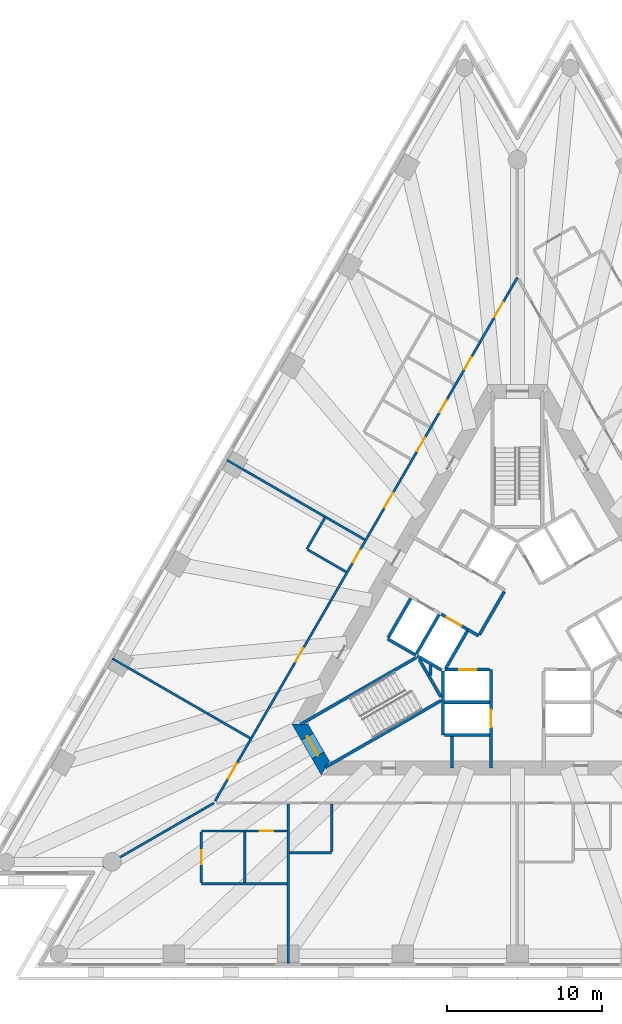
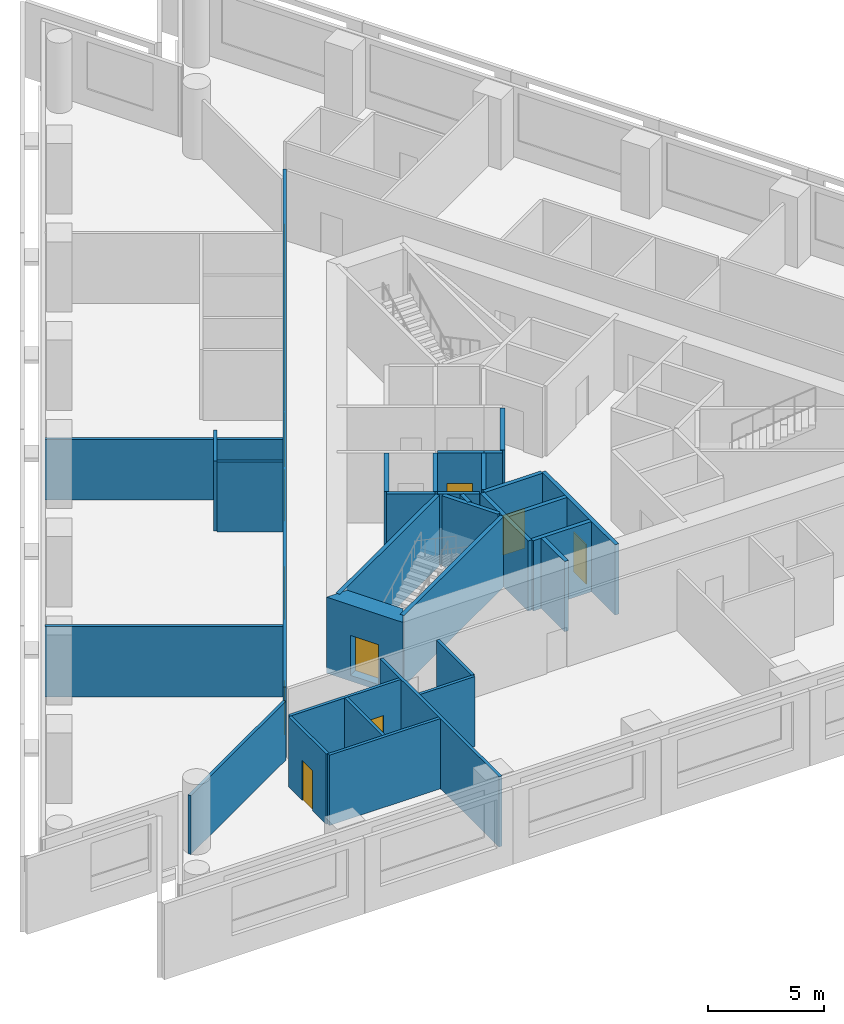
# One storey, part 3 of 11: 32 walls, 14 doors, 14 openings.
"""IFC4 building model written with IfcOpenShell, lengths in metres."""

from ifc_helpers import new_model, si_unit, direction, frame, frame_2d, origin, place, context, subcontext, project, spatial, polyline, rectangle, outline, extrude, material, layer, layer_set, type_object, element, fill, save


model = new_model("IFC4")

# Units and contexts
model_context = context("Model", 3, precision=1e-05, world=origin(), true_north=direction((0.0, 1.0)))
body_context = subcontext(model_context, "Body", "Model", "MODEL_VIEW")
ifc_project = project(units=[si_unit("LENGTHUNIT", "METRE"), si_unit("AREAUNIT", "SQUARE_METRE"), si_unit("VOLUMEUNIT", "CUBIC_METRE"), si_unit("PLANEANGLEUNIT", "RADIAN"), si_unit("MASSUNIT", "GRAM", prefix="KILO")], contexts=[model_context])

# Site, building, storey
site_placement = place(None, origin())
site = spatial("IfcSite", under=ifc_project, at=site_placement, CompositionType="ELEMENT")
building_placement = place(site_placement, origin())
building = spatial("IfcBuilding", under=site, at=building_placement, Name="Triada Interchange Tower", CompositionType="ELEMENT")
storey_placement = place(building_placement, frame((0.0, 0.0, 59.300048828125)))
storey = spatial("IfcBuildingStorey", under=building, at=storey_placement, Name="L12", CompositionType="ELEMENT", Elevation=59.300048828125)

# Walls
ifc_material_1 = material(Name="Concrete C30/37", Category="concrete")
ifc_layer_1 = layer(ifc_material_1, 0.199951171875)
ifc_layer_set_1 = layer_set([ifc_layer_1], Name="CORE WALL 200 EI 120")
wall_type_1 = type_object("IfcWallType", Name="CORE WALL 200 EI 120", PredefinedType="SOLIDWALL", material=ifc_layer_set_1)
wall_1_placement = place(storey_placement, frame((-8.3759765625, -0.70703125, 0.0), z_axis=(0.0, 0.0, 1.0), x_axis=(0.866067520717, -0.499927044236, 0.0)))
element("IfcWall", 1, at=wall_1_placement, inside=storey, type_object=wall_type_1, Name="Wall L12 47", PredefinedType="SOLIDWALL", context=body_context, shape_type="SweptSolid", body=[
    extrude(rectangle(XDim=2.100341796875, YDim=0.199951171875, at=frame_2d((1.05029296875, 0.0))), origin(), (0.0, 0.0, 1.0), 3.699951171875),
])
wall_2_placement = place(storey_placement, frame((-8.325927734375, -0.6201171875, 0.0), z_axis=(0.0, 0.0, 1.0), x_axis=(0.500023687443, 0.866011727401, 0.0)))
element("IfcWall", 2, at=wall_2_placement, inside=storey, type_object=wall_type_1, Name="Wall L12 48", PredefinedType="SOLIDWALL", context=body_context, shape_type="SweptSolid", body=[
    extrude(rectangle(XDim=2.899658203125, YDim=0.199951171875, at=frame_2d((1.44970703125, 0.0))), origin(), (0.0, 0.0, 1.0), 3.699951171875),
])
wall_3_placement = place(storey_placement, frame((-4.699951171875, -4.800048828125, 0.0), z_axis=(0.0, 0.0, 1.0), x_axis=(1.0, 0.0, 0.0)))
element("IfcWall", 3, at=wall_3_placement, inside=storey, type_object=wall_type_1, Name="Wall L12 49", PredefinedType="SOLIDWALL", context=body_context, shape_type="SweptSolid", body=[
    extrude(rectangle(XDim=2.89990234375, YDim=0.199951171875, at=frame_2d((1.449951171875, 0.0))), origin(), (0.0, 0.0, 1.0), 3.699951171875),
])
wall_4_placement = place(storey_placement, frame((-4.800048828125, -6.89990234375, 0.0), z_axis=(0.0, 0.0, 1.0), x_axis=(0.0, 1.0, 0.0)))
element("IfcWall", 4, at=wall_4_placement, inside=storey, type_object=wall_type_1, Name="Wall L12 51", PredefinedType="SOLIDWALL", context=body_context, shape_type="SweptSolid", body=[
    extrude(rectangle(XDim=4.130859375, YDim=0.199951171875, at=frame_2d((2.0654296875, 0.0))), origin(), (0.0, 0.0, 1.0), 3.699951171875),
])
wall_5_placement = place(storey_placement, frame((-4.699951171875, -6.89990234375, 0.0), z_axis=(0.0, 0.0, 1.0), x_axis=(1.0, 0.0, 0.0)))
element("IfcWall", 5, at=wall_5_placement, inside=storey, type_object=wall_type_1, Name="Wall L12 52", PredefinedType="SOLIDWALL", context=body_context, shape_type="SweptSolid", body=[
    extrude(rectangle(XDim=2.89990234375, YDim=0.199951171875, at=frame_2d((1.449951171875, 0.0))), origin(), (0.0, 0.0, 1.0), 3.699951171875),
])

# Wall, opening, door
wall_6_placement = place(storey_placement, frame((-1.699951171875, -9.030029296875, 0.0), z_axis=(0.0, 0.0, 1.0), x_axis=(0.0, 1.0, 0.0)))
wall_6 = element("IfcWall", 6, at=wall_6_placement, inside=storey, type_object=wall_type_1, Name="Wall L12 54", PredefinedType="SOLIDWALL", context=body_context, shape_type="SweptSolid", body=[
    extrude(rectangle(XDim=6.3271484375, YDim=0.199951171875, at=frame_2d((3.16357421875, 0.0))), origin(), (0.0, 0.0, 1.0), 3.699951171875),
])
opening_1_placement = place(wall_6_placement, frame((2.6298828125, 0.0, 0.0)))
opening_1 = element("IfcOpeningElement", 7, at=opening_1_placement, cuts=wall_6, Name="Opening LD-LR4", PredefinedType="OPENING", context=body_context, shape_type="SweptSolid", body=[
    extrude(rectangle(XDim=1.10009765625, YDim=2.10009765625, at=frame_2d((0.550048828125, 1.050048828125))), frame((0.0, 0.10986328125, 0.0), z_axis=(0.0, -1.0, 0.0), x_axis=(1.0, 0.0, 0.0)), (0.0, 0.0, 1.0), 0.219970703125),
])
ifc_material_2 = material(Name="Steel S235 door leaf", Category="steel")
door_type_1 = type_object("IfcDoorType", Name="LIFT LANDING DOOR 1100 EI 120", OperationType="SLIDING_TO_LEFT", PredefinedType="DOOR", material=ifc_material_2)
door_1_placement = place(opening_1_placement, origin())
door_1 = element("IfcDoor", 8, at=door_1_placement, inside=storey, type_object=door_type_1, Name="LR4 landing door L12", OperationType="SLIDING_TO_LEFT", OverallHeight=2.10009765625, OverallWidth=1.10009765625, PredefinedType="DOOR", context=body_context, shape_type="SweptSolid", body=[
    extrude(rectangle(XDim=1.10009765625, YDim=2.10009765625, at=frame_2d((0.550048828125, 1.050048828125))), frame((0.0, 0.02490234375, 0.0), z_axis=(0.0, -1.0, 0.0), x_axis=(1.0, 0.0, 0.0)), (0.0, 0.0, 1.0), 0.050048828125),
])
fill(opening_1, door_1)

wall_7_placement = place(storey_placement, frame((-4.676025390625, -2.699951171875, 0.0), z_axis=(0.0, 0.0, 1.0), x_axis=(1.0, 0.0, 0.0)))
wall_7 = element("IfcWall", 9, at=wall_7_placement, inside=storey, type_object=wall_type_1, Name="Wall L12 55", PredefinedType="SOLIDWALL", context=body_context, shape_type="SweptSolid", body=[
    extrude(rectangle(XDim=2.873046875, YDim=0.199951171875, at=frame_2d((1.4365234375, 0.0))), origin(), (0.0, 0.0, 1.0), 3.699951171875),
])
opening_2_placement = place(wall_7_placement, frame((0.93701171875, 0.0, 0.0)))
opening_2 = element("IfcOpeningElement", 10, at=opening_2_placement, cuts=wall_7, Name="Opening LD-LR3", PredefinedType="OPENING", context=body_context, shape_type="SweptSolid", body=[
    extrude(rectangle(XDim=1.10009765625, YDim=2.10009765625, at=frame_2d((0.550048828125, 1.050048828125))), frame((0.0, 0.10986328125, 0.0), z_axis=(0.0, -1.0, 0.0), x_axis=(1.0, 0.0, 0.0)), (0.0, 0.0, 1.0), 0.219970703125),
])
door_2_placement = place(opening_2_placement, origin())
door_2 = element("IfcDoor", 11, at=door_2_placement, inside=storey, type_object=door_type_1, Name="LR3 landing door L12", OperationType="SLIDING_TO_LEFT", OverallHeight=2.10009765625, OverallWidth=1.10009765625, PredefinedType="DOOR", context=body_context, shape_type="SweptSolid", body=[
    extrude(rectangle(XDim=1.10009765625, YDim=2.10009765625, at=frame_2d((0.550048828125, 1.050048828125))), frame((0.0, 0.02490234375, 0.0), z_axis=(0.0, -1.0, 0.0), x_axis=(1.0, 0.0, 0.0)), (0.0, 0.0, 1.0), 0.050048828125),
])
fill(opening_2, door_2)

# Walls
ifc_layer_2 = layer(ifc_material_1, 0.199951171875)
ifc_layer_set_2 = layer_set([ifc_layer_2], Name="CORE WALL 200 EI 180")
wall_type_2 = type_object("IfcWallType", Name="CORE WALL 200 EI 180", PredefinedType="SOLIDWALL", material=ifc_layer_set_2)
wall_8_placement = place(storey_placement, frame((-3.18798828125, -0.1220703125, 0.0), z_axis=(0.0, 0.0, 1.0), x_axis=(0.865705793592, -0.50055317294, 0.0)))
element("IfcWall", 12, at=wall_8_placement, inside=storey, type_object=wall_type_2, Name="Wall L12 70", PredefinedType="SOLIDWALL", context=body_context, shape_type="SweptSolid", body=[
    extrude(rectangle(XDim=0.796875, YDim=0.199951171875, at=frame_2d((0.3984375, 0.0))), origin(), (0.0, 0.0, 1.0), 3.699951171875),
])
wall_9_placement = place(storey_placement, frame((-2.444091796875, -0.43310546875, 0.0), z_axis=(0.0, 0.0, 1.0), x_axis=(0.500035624827, 0.866004834804, 0.0)))
element("IfcWall", 13, at=wall_9_placement, inside=storey, type_object=wall_type_2, Name="Wall L12 75", PredefinedType="SOLIDWALL", context=body_context, shape_type="SweptSolid", body=[
    extrude(rectangle(XDim=3.194091796875, YDim=0.199951171875, at=frame_2d((1.59716796875, 0.0))), origin(), (0.0, 0.0, 1.0), 3.699951171875),
])
wall_10_placement = place(storey_placement, frame((-6.507080078125, -1.669921875, 0.0), z_axis=(0.0, 0.0, 1.0), x_axis=(0.50012328804, 0.865954211699, 0.0)))
element("IfcWall", 14, at=wall_10_placement, inside=storey, type_object=wall_type_2, Name="Shaft wall FF1 L12 76", PredefinedType="SOLIDWALL", context=body_context, shape_type="SweptSolid", body=[
    extrude(rectangle(XDim=2.899658203125, YDim=0.199951171875, at=frame_2d((1.44970703125, 0.0))), origin(), (0.0, 0.0, 1.0), 3.699951171875),
])
wall_11_placement = place(storey_placement, frame((-6.469970703125, -1.806884765625, 0.0), z_axis=(0.0, 0.0, 1.0), x_axis=(0.865883195159, -0.500246231712, 0.0)))
element("IfcWall", 15, at=wall_11_placement, inside=storey, type_object=wall_type_2, Name="Shaft wall FF1 L12 77", PredefinedType="SOLIDWALL", context=body_context, shape_type="SweptSolid", body=[
    extrude(rectangle(XDim=1.8154296875, YDim=0.199951171875, at=frame_2d((0.90771484375, 0.0))), origin(), (0.0, 0.0, 1.0), 3.699951171875),
])

# Wall, opening, door
wall_12_placement = place(storey_placement, frame((-4.922119140625, 0.87890625, 0.0), z_axis=(0.0, 0.0, 1.0), x_axis=(0.866073918653, -0.499915960366, 0.0)))
wall_12 = element("IfcWall", 16, at=wall_12_placement, inside=storey, type_object=wall_type_2, Name="Shaft wall FF1 L12 78", PredefinedType="SOLIDWALL", context=body_context, shape_type="SweptSolid", body=[
    extrude(rectangle(XDim=2.002197265625, YDim=0.199951171875, at=frame_2d((1.0009765625, 0.0))), origin(), (0.0, 0.0, 1.0), 3.699951171875),
])
opening_3_placement = place(wall_12_placement, frame((0.402099609375, 0.0, 0.0)))
opening_3 = element("IfcOpeningElement", 17, at=opening_3_placement, cuts=wall_12, Name="Opening LD-FF1", PredefinedType="OPENING", context=body_context, shape_type="SweptSolid", body=[
    extrude(rectangle(XDim=1.10009765625, YDim=2.10009765625, at=frame_2d((0.550048828125, 1.050048828125))), frame((0.0, 0.10986328125, 0.0), z_axis=(0.0, -1.0, 0.0), x_axis=(1.0, 0.0, 0.0)), (0.0, 0.0, 1.0), 0.219970703125),
])
door_3_placement = place(opening_3_placement, origin())
door_3 = element("IfcDoor", 18, at=door_3_placement, inside=storey, type_object=door_type_1, Name="FF1 landing door L12", OperationType="SLIDING_TO_LEFT", OverallHeight=2.10009765625, OverallWidth=1.10009765625, PredefinedType="DOOR", context=body_context, shape_type="SweptSolid", body=[
    extrude(rectangle(XDim=1.10009765625, YDim=2.10009765625, at=frame_2d((0.550048828125, 1.050048828125))), frame((0.0, 0.02490234375, 0.0), z_axis=(0.0, -1.0, 0.0), x_axis=(1.0, 0.0, 0.0)), (0.0, 0.0, 1.0), 0.050048828125),
])
fill(opening_3, door_3)

# Walls
wall_13_placement = place(storey_placement, frame((-4.618896484375, -2.60009765625, 0.0), z_axis=(0.0, 0.0, 1.0), x_axis=(0.50009492287, 0.865970593103, 0.0)))
element("IfcWall", 19, at=wall_13_placement, inside=storey, type_object=wall_type_2, Name="Shaft wall FF1 L12 79", PredefinedType="SOLIDWALL", context=body_context, shape_type="SweptSolid", body=[
    extrude(rectangle(XDim=2.76123046875, YDim=0.199951171875, at=frame_2d((1.380615234375, 0.0))), origin(), (0.0, 0.0, 1.0), 3.699951171875),
])
ifc_layer_3 = layer(ifc_material_1, 0.199951171875)
ifc_layer_set_3 = layer_set([ifc_layer_3], Name="CORE WALL 200 EI 90")
wall_type_3 = type_object("IfcWallType", Name="CORE WALL 200 EI 90", PredefinedType="SOLIDWALL", material=ifc_layer_set_3)
wall_14_placement = place(storey_placement, frame((-5.612060546875, -3.080078125, 0.0), z_axis=(0.0, 0.0, 1.0), x_axis=(0.0, 1.0, 0.0)))
element("IfcWall", 20, at=wall_14_placement, inside=storey, type_object=wall_type_3, Name="Wall L12 84", PredefinedType="SOLIDWALL", context=body_context, shape_type="SweptSolid", body=[
    extrude(rectangle(XDim=0.662109375, YDim=0.199951171875, at=frame_2d((0.3310546875, 0.0))), origin(), (0.0, 0.0, 1.0), 3.699951171875),
])
wall_15_placement = place(storey_placement, frame((-4.208984375, -9.030029296875, 0.0), z_axis=(0.0, 0.0, 1.0), x_axis=(0.0, 1.0, 0.0)))
element("IfcWall", 21, at=wall_15_placement, inside=storey, type_object=wall_type_3, Name="Wall L12 85", PredefinedType="SOLIDWALL", context=body_context, shape_type="SweptSolid", body=[
    extrude(rectangle(XDim=2.030029296875, YDim=0.199951171875, at=frame_2d((1.01513671875, 0.0))), origin(), (0.0, 0.0, 1.0), 3.699951171875),
])
ifc_layer_4 = layer(ifc_material_1, 0.199951171875)
ifc_layer_set_4 = layer_set([ifc_layer_4], Name="CORE WALL 200 REI 240")
wall_type_4 = type_object("IfcWallType", Name="CORE WALL 200 REI 240", PredefinedType="SOLIDWALL", material=ifc_layer_set_4)
wall_16_placement = place(storey_placement, frame((-13.989990234375, -6.22900390625, 0.0), z_axis=(0.0, 0.0, 1.0), x_axis=(0.866060059011, 0.499939970583, 0.0)))
element("IfcWall", 22, at=wall_16_placement, inside=storey, type_object=wall_type_4, Name="Wall L12 87", PredefinedType="SOLIDWALL", context=body_context, shape_type="SweptSolid", body=[
    extrude(rectangle(XDim=8.61474609375, YDim=0.199951171875, at=frame_2d((4.307373046875, 0.0))), origin(), (0.0, 0.0, 1.0), 3.699951171875),
])
wall_17_placement = place(storey_placement, frame((-6.3291015625, -2.0380859375, 0.0), z_axis=(0.0, 0.0, 1.0), x_axis=(0.500200581029, -0.865909567298, 0.0)))
element("IfcWall", 23, at=wall_17_placement, inside=storey, type_object=wall_type_4, Name="Wall L12 88", PredefinedType="SOLIDWALL", context=body_context, shape_type="SweptSolid", body=[
    extrude(rectangle(XDim=2.799072265625, YDim=0.199951171875, at=frame_2d((1.3994140625, 0.0))), origin(), (0.0, 0.0, 1.0), 3.699951171875),
])
wall_18_placement = place(storey_placement, frame((-12.389892578125, -9.0009765625, 0.0), z_axis=(0.0, 0.0, 1.0), x_axis=(0.866010975815, 0.500024989144, 0.0)))
element("IfcWall", 24, at=wall_18_placement, inside=storey, type_object=wall_type_4, Name="Wall L12 89", PredefinedType="SOLIDWALL", context=body_context, shape_type="SweptSolid", body=[
    extrude(rectangle(XDim=8.615234375, YDim=0.199951171875, at=frame_2d((4.3076171875, 0.0))), origin(), (0.0, 0.0, 1.0), 3.699951171875),
])

# Wall, opening, door
ifc_material_3 = material(Name="Concrete C70/85", Category="concrete")
ifc_layer_5 = layer(ifc_material_3, 0.89990234375)
ifc_layer_set_5 = layer_set([ifc_layer_5], Name="Core wall A 900")
wall_type_5 = type_object("IfcWallType", Name="Core wall A 900", PredefinedType="SHEAR", material=ifc_layer_set_5)
wall_19_placement = place(storey_placement, frame((-14.030029296875, -6.199951171875, -0.300048828125), z_axis=(0.0, 0.0, 1.0), x_axis=(0.500111984565, -0.865960739811, 0.0)))
wall_19 = element("IfcWall", 25, at=wall_19_placement, inside=storey, type_object=wall_type_5, Name="Core wall WA03 L12", PredefinedType="SHEAR", context=body_context, shape_type="SweptSolid", body=[
    extrude(outline(polyline([(-0.260009765625, -0.448974609375), (1.6455078125, -0.449462890625), (3.551025390625, -0.449951171875), (3.031982421875, 0.449951171875), (1.64599609375, 0.449951171875), (0.260009765625, 0.449951171875), (-0.260009765625, -0.448974609375)])), origin(), (0.0, 0.0, 1.0), 4.0),
])
opening_4_placement = place(wall_19_placement, frame((0.946044921875, 0.0, 0.300048828125)))
opening_4 = element("IfcOpeningElement", 26, at=opening_4_placement, cuts=wall_19, Name="Opening D12-42", PredefinedType="OPENING", context=body_context, shape_type="SweptSolid", body=[
    extrude(rectangle(XDim=1.39990234375, YDim=2.10009765625, at=frame_2d((0.699951171875, 1.050048828125))), frame((0.0, 0.4599609375, 0.0), z_axis=(0.0, -1.0, 0.0), x_axis=(1.0, 0.0, 0.0)), (0.0, 0.0, 1.0), 0.919921875),
])
door_type_2 = type_object("IfcDoorType", Name="STAIR DOOR 1400 EI2 90-C5S200", OperationType="DOUBLE_DOOR_SINGLE_SWING", PredefinedType="DOOR", material=ifc_material_2)
door_4_placement = place(opening_4_placement, origin())
door_4 = element("IfcDoor", 27, at=door_4_placement, inside=storey, type_object=door_type_2, Name="Door D12-42 L12", OperationType="DOUBLE_DOOR_SINGLE_SWING", OverallHeight=2.10009765625, OverallWidth=1.39990234375, PredefinedType="DOOR", context=body_context, shape_type="SweptSolid", body=[
    extrude(rectangle(XDim=1.39990234375, YDim=2.10009765625, at=frame_2d((0.699951171875, 1.050048828125))), frame((0.0, 0.02490234375, 0.0), z_axis=(0.0, -1.0, 0.0), x_axis=(1.0, 0.0, 0.0)), (0.0, 0.0, 1.0), 0.050048828125),
])
fill(opening_4, door_4)

# Walls
ifc_material_4 = material(Name="Gypsum board partition")
ifc_layer_6 = layer(ifc_material_4, 0.14990234375)
ifc_layer_set_6 = layer_set([ifc_layer_6], Name="PARTITION 150 EI 180")
wall_type_6 = type_object("IfcWallType", Name="PARTITION 150 EI 180", PredefinedType="PARTITIONING", material=ifc_layer_set_6)
wall_20_placement = place(storey_placement, frame((-26.68701171875, -15.407958984375, 0.0), z_axis=(0.0, 0.0, 1.0), x_axis=(0.866021786635, 0.500006265035, 0.0)))
element("IfcWall", 28, at=wall_20_placement, inside=storey, type_object=wall_type_6, Name="Wall L12 1", PredefinedType="PARTITIONING", context=body_context, shape_type="SweptSolid", body=[
    extrude(rectangle(XDim=8.2158203125, YDim=0.14990234375, at=frame_2d((4.10791015625, 0.0))), origin(), (0.0, 0.0, 1.0), 3.099853515625),
])
wall_21_placement = place(storey_placement, frame((-26.1279296875, -1.985107421875, 0.0), z_axis=(0.0, 0.0, 1.0), x_axis=(0.866020337685, -0.500008774639, 0.0)))
element("IfcWall", 29, at=wall_21_placement, inside=storey, type_object=wall_type_6, Name="Wall L12 3", PredefinedType="PARTITIONING", context=body_context, shape_type="SweptSolid", body=[
    extrude(rectangle(XDim=10.259521484375, YDim=0.14990234375, at=frame_2d((5.1298828125, 0.0))), origin(), (0.0, 0.0, 1.0), 3.699951171875),
])

# Wall, openings, doors
wall_22_placement = place(storey_placement, frame((-19.4970703125, -11.169921875, 0.0), z_axis=(0.0, 0.0, 1.0), x_axis=(0.499998854553, 0.866026065108, 0.0)))
wall_22 = element("IfcWall", 30, at=wall_22_placement, inside=storey, type_object=wall_type_6, Name="Wall L12 4", PredefinedType="PARTITIONING", context=body_context, shape_type="SweptSolid", body=[
    extrude(rectangle(XDim=38.994140625, YDim=0.14990234375, at=frame_2d((19.4970703125, 0.0))), origin(), (0.0, 0.0, 1.0), 3.699951171875),
])
opening_5_placement = place(wall_22_placement, frame((36.0439453125, 0.0, 0.0)))
opening_5 = element("IfcOpeningElement", 31, at=opening_5_placement, cuts=wall_22, Name="Opening D12-32", PredefinedType="OPENING", context=body_context, shape_type="SweptSolid", body=[
    extrude(rectangle(XDim=1.10009765625, YDim=2.10009765625, at=frame_2d((0.550048828125, 1.050048828125))), frame((0.0, 0.0849609375, 0.0), z_axis=(0.0, -1.0, 0.0), x_axis=(1.0, 0.0, 0.0)), (0.0, 0.0, 1.0), 0.169921875),
])
opening_6_placement = place(wall_22_placement, frame((21.85498046875, 0.0, 0.0)))
opening_6 = element("IfcOpeningElement", 32, at=opening_6_placement, cuts=wall_22, Name="Opening D12-33", PredefinedType="OPENING", context=body_context, shape_type="SweptSolid", body=[
    extrude(rectangle(XDim=1.10009765625, YDim=2.10009765625, at=frame_2d((0.550048828125, 1.050048828125))), frame((0.0, 0.0849609375, 0.0), z_axis=(0.0, -1.0, 0.0), x_axis=(1.0, 0.0, 0.0)), (0.0, 0.0, 1.0), 0.169921875),
])
opening_7_placement = place(wall_22_placement, frame((32.155029296875, 0.0, 0.0)))
opening_7 = element("IfcOpeningElement", 33, at=opening_7_placement, cuts=wall_22, Name="Opening D12-34", PredefinedType="OPENING", context=body_context, shape_type="SweptSolid", body=[
    extrude(rectangle(XDim=0.89990234375, YDim=2.10009765625, at=frame_2d((0.449951171875, 1.050048828125))), frame((0.0, 0.0849609375, 0.0), z_axis=(0.0, -1.0, 0.0), x_axis=(1.0, 0.0, 0.0)), (0.0, 0.0, 1.0), 0.169921875),
])
opening_8_placement = place(wall_22_placement, frame((28.955078125, 0.0, 0.0)))
opening_8 = element("IfcOpeningElement", 34, at=opening_8_placement, cuts=wall_22, Name="Opening D12-35", PredefinedType="OPENING", context=body_context, shape_type="SweptSolid", body=[
    extrude(rectangle(XDim=0.89990234375, YDim=2.10009765625, at=frame_2d((0.449951171875, 1.050048828125))), frame((0.0, 0.0849609375, 0.0), z_axis=(0.0, -1.0, 0.0), x_axis=(1.0, 0.0, 0.0)), (0.0, 0.0, 1.0), 0.169921875),
])
opening_9_placement = place(wall_22_placement, frame((26.054931640625, 0.0, 0.0)))
opening_9 = element("IfcOpeningElement", 35, at=opening_9_placement, cuts=wall_22, Name="Opening D12-36", PredefinedType="OPENING", context=body_context, shape_type="SweptSolid", body=[
    extrude(rectangle(XDim=1.0, YDim=2.10009765625, at=frame_2d((0.5, 1.050048828125))), frame((0.0, 0.0849609375, 0.0), z_axis=(0.0, -1.0, 0.0), x_axis=(1.0, 0.0, 0.0)), (0.0, 0.0, 1.0), 0.169921875),
])
opening_10_placement = place(wall_22_placement, frame((10.373046875, 0.0, 0.0)))
opening_10 = element("IfcOpeningElement", 36, at=opening_10_placement, cuts=wall_22, Name="Opening D12-37", PredefinedType="OPENING", context=body_context, shape_type="SweptSolid", body=[
    extrude(rectangle(XDim=1.0, YDim=2.10009765625, at=frame_2d((0.5, 1.050048828125))), frame((0.0, 0.0849609375, 0.0), z_axis=(0.0, -1.0, 0.0), x_axis=(1.0, 0.0, 0.0)), (0.0, 0.0, 1.0), 0.169921875),
])
opening_11_placement = place(wall_22_placement, frame((17.77294921875, 0.0, 0.0)))
opening_11 = element("IfcOpeningElement", 37, at=opening_11_placement, cuts=wall_22, Name="Opening D12-38", PredefinedType="OPENING", context=body_context, shape_type="SweptSolid", body=[
    extrude(rectangle(XDim=0.89990234375, YDim=2.10009765625, at=frame_2d((0.449951171875, 1.050048828125))), frame((0.0, 0.0849609375, 0.0), z_axis=(0.0, -1.0, 0.0), x_axis=(1.0, 0.0, 0.0)), (0.0, 0.0, 1.0), 0.169921875),
])
opening_12_placement = place(wall_22_placement, frame((1.68896484375, 0.0, 0.0)))
opening_12 = element("IfcOpeningElement", 38, at=opening_12_placement, cuts=wall_22, Name="Opening D12-39", PredefinedType="OPENING", context=body_context, shape_type="SweptSolid", body=[
    extrude(rectangle(XDim=1.10009765625, YDim=2.10009765625, at=frame_2d((0.550048828125, 1.050048828125))), frame((0.0, 0.0849609375, 0.0), z_axis=(0.0, -1.0, 0.0), x_axis=(1.0, 0.0, 0.0)), (0.0, 0.0, 1.0), 0.169921875),
])
door_type_3 = type_object("IfcDoorType", Name="ROOM DOOR 1000 EI2 90-C5S200", OperationType="NOTDEFINED", PredefinedType="DOOR", material=ifc_material_2)
door_5_placement = place(opening_9_placement, origin())
door_5 = element("IfcDoor", 39, at=door_5_placement, inside=storey, type_object=door_type_3, Name="Door D12-36 L12", OperationType="SINGLE_SWING_RIGHT", OverallHeight=2.10009765625, OverallWidth=1.0, PredefinedType="DOOR", context=body_context, shape_type="SweptSolid", body=[
    extrude(rectangle(XDim=1.0, YDim=2.10009765625, at=frame_2d((0.5, 1.050048828125))), frame((0.0, 0.02490234375, 0.0), z_axis=(0.0, -1.0, 0.0), x_axis=(1.0, 0.0, 0.0)), (0.0, 0.0, 1.0), 0.050048828125),
])
fill(opening_9, door_5)
door_6_placement = place(opening_10_placement, origin())
door_6 = element("IfcDoor", 40, at=door_6_placement, inside=storey, type_object=door_type_3, Name="Door D12-37 L12", OperationType="SINGLE_SWING_LEFT", OverallHeight=2.10009765625, OverallWidth=1.0, PredefinedType="DOOR", context=body_context, shape_type="SweptSolid", body=[
    extrude(rectangle(XDim=1.0, YDim=2.10009765625, at=frame_2d((0.5, 1.050048828125))), frame((0.0, 0.02490234375, 0.0), z_axis=(0.0, -1.0, 0.0), x_axis=(1.0, 0.0, 0.0)), (0.0, 0.0, 1.0), 0.050048828125),
])
fill(opening_10, door_6)
door_type_4 = type_object("IfcDoorType", Name="ROOM DOOR 900 EI2 90-C5S200", OperationType="NOTDEFINED", PredefinedType="DOOR", material=ifc_material_2)
door_7_placement = place(opening_7_placement, origin())
door_7 = element("IfcDoor", 41, at=door_7_placement, inside=storey, type_object=door_type_4, Name="Door D12-34 L12", OperationType="SINGLE_SWING_RIGHT", OverallHeight=2.10009765625, OverallWidth=0.89990234375, PredefinedType="DOOR", context=body_context, shape_type="SweptSolid", body=[
    extrude(rectangle(XDim=0.89990234375, YDim=2.10009765625, at=frame_2d((0.449951171875, 1.050048828125))), frame((0.0, 0.02490234375, 0.0), z_axis=(0.0, -1.0, 0.0), x_axis=(1.0, 0.0, 0.0)), (0.0, 0.0, 1.0), 0.050048828125),
])
fill(opening_7, door_7)
door_8_placement = place(opening_8_placement, origin())
door_8 = element("IfcDoor", 42, at=door_8_placement, inside=storey, type_object=door_type_4, Name="Door D12-35 L12", OperationType="SINGLE_SWING_LEFT", OverallHeight=2.10009765625, OverallWidth=0.89990234375, PredefinedType="DOOR", context=body_context, shape_type="SweptSolid", body=[
    extrude(rectangle(XDim=0.89990234375, YDim=2.10009765625, at=frame_2d((0.449951171875, 1.050048828125))), frame((0.0, 0.02490234375, 0.0), z_axis=(0.0, -1.0, 0.0), x_axis=(1.0, 0.0, 0.0)), (0.0, 0.0, 1.0), 0.050048828125),
])
fill(opening_8, door_8)
door_type_5 = type_object("IfcDoorType", Name="SERVICE DOOR 900 EI2 90-C5S200", OperationType="NOTDEFINED", PredefinedType="DOOR", material=ifc_material_2)
door_9_placement = place(opening_11_placement, origin())
door_9 = element("IfcDoor", 43, at=door_9_placement, inside=storey, type_object=door_type_5, Name="Door D12-38 L12", OperationType="SINGLE_SWING_RIGHT", OverallHeight=2.10009765625, OverallWidth=0.89990234375, PredefinedType="DOOR", context=body_context, shape_type="SweptSolid", body=[
    extrude(rectangle(XDim=0.89990234375, YDim=2.10009765625, at=frame_2d((0.449951171875, 1.050048828125))), frame((0.0, 0.02490234375, 0.0), z_axis=(0.0, -1.0, 0.0), x_axis=(1.0, 0.0, 0.0)), (0.0, 0.0, 1.0), 0.050048828125),
])
fill(opening_11, door_9)
door_type_6 = type_object("IfcDoorType", Name="TENANCY ENTRANCE DOOR 1100 EI2 90-C5S200", OperationType="NOTDEFINED", PredefinedType="DOOR", material=ifc_material_2)
door_10_placement = place(opening_5_placement, origin())
door_10 = element("IfcDoor", 44, at=door_10_placement, inside=storey, type_object=door_type_6, Name="Door D12-32 L12", OperationType="SINGLE_SWING_RIGHT", OverallHeight=2.10009765625, OverallWidth=1.10009765625, PredefinedType="DOOR", context=body_context, shape_type="SweptSolid", body=[
    extrude(rectangle(XDim=1.10009765625, YDim=2.10009765625, at=frame_2d((0.550048828125, 1.050048828125))), frame((0.0, 0.02490234375, 0.0), z_axis=(0.0, -1.0, 0.0), x_axis=(1.0, 0.0, 0.0)), (0.0, 0.0, 1.0), 0.050048828125),
])
fill(opening_5, door_10)
door_11_placement = place(opening_6_placement, origin())
door_11 = element("IfcDoor", 45, at=door_11_placement, inside=storey, type_object=door_type_6, Name="Door D12-33 L12", OperationType="SINGLE_SWING_RIGHT", OverallHeight=2.10009765625, OverallWidth=1.10009765625, PredefinedType="DOOR", context=body_context, shape_type="SweptSolid", body=[
    extrude(rectangle(XDim=1.10009765625, YDim=2.10009765625, at=frame_2d((0.550048828125, 1.050048828125))), frame((0.0, 0.02490234375, 0.0), z_axis=(0.0, -1.0, 0.0), x_axis=(1.0, 0.0, 0.0)), (0.0, 0.0, 1.0), 0.050048828125),
])
fill(opening_6, door_11)
door_12_placement = place(opening_12_placement, origin())
door_12 = element("IfcDoor", 46, at=door_12_placement, inside=storey, type_object=door_type_6, Name="Door D12-39 L12", OperationType="SINGLE_SWING_LEFT", OverallHeight=2.10009765625, OverallWidth=1.10009765625, PredefinedType="DOOR", context=body_context, shape_type="SweptSolid", body=[
    extrude(rectangle(XDim=1.10009765625, YDim=2.10009765625, at=frame_2d((0.550048828125, 1.050048828125))), frame((0.0, 0.02490234375, 0.0), z_axis=(0.0, -1.0, 0.0), x_axis=(1.0, 0.0, 0.0)), (0.0, 0.0, 1.0), 0.050048828125),
])
fill(opening_12, door_12)

# Walls
wall_23_placement = place(storey_placement, frame((-18.736083984375, 10.818115234375, 0.0), z_axis=(0.0, 0.0, 1.0), x_axis=(0.866010033384, -0.500026621369, 0.0)))
element("IfcWall", 47, at=wall_23_placement, inside=storey, type_object=wall_type_6, Name="Wall L12 6", PredefinedType="PARTITIONING", context=body_context, shape_type="SweptSolid", body=[
    extrude(rectangle(XDim=10.259765625, YDim=0.14990234375, at=frame_2d((5.1298828125, 0.0))), origin(), (0.0, 0.0, 1.0), 3.199951171875),
])
wall_24_placement = place(storey_placement, frame((-14.782958984375, -21.635009765625, 0.0), z_axis=(0.0, 0.0, 1.0), x_axis=(0.0, 1.0, 0.0)))
element("IfcWall", 48, at=wall_24_placement, inside=storey, type_object=wall_type_6, Name="Wall L12 8", PredefinedType="PARTITIONING", context=body_context, shape_type="SweptSolid", body=[
    extrude(rectangle(XDim=10.260009765625, YDim=0.14990234375, at=frame_2d((5.1298828125, 0.0))), origin(), (0.0, 0.0, 1.0), 3.699951171875),
])
wall_25_placement = place(storey_placement, frame((-14.7080078125, -14.5, 0.0), z_axis=(0.0, 0.0, 1.0), x_axis=(1.0, 0.0, 0.0)))
element("IfcWall", 49, at=wall_25_placement, inside=storey, type_object=wall_type_6, Name="Wall L12 9", PredefinedType="PARTITIONING", context=body_context, shape_type="SweptSolid", body=[
    extrude(rectangle(XDim=2.72509765625, YDim=0.14990234375, at=frame_2d((1.362548828125, 0.0))), origin(), (0.0, 0.0, 1.0), 3.699951171875),
])
wall_26_placement = place(storey_placement, frame((-11.98291015625, -14.425048828125, 0.0), z_axis=(0.0, 0.0, 1.0), x_axis=(0.0, 1.0, 0.0)))
element("IfcWall", 50, at=wall_26_placement, inside=storey, type_object=wall_type_6, Name="Wall L12 10", PredefinedType="PARTITIONING", context=body_context, shape_type="SweptSolid", body=[
    extrude(rectangle(XDim=3.050048828125, YDim=0.14990234375, at=frame_2d((1.52490234375, 0.0))), origin(), (0.0, 0.0, 1.0), 3.699951171875),
])
wall_27_placement = place(storey_placement, frame((-13.583984375, 5.072021484375, 0.0), z_axis=(0.0, 0.0, 1.0), x_axis=(0.500113184874, 0.865960046605, 0.0)))
element("IfcWall", 51, at=wall_27_placement, inside=storey, type_object=wall_type_6, Name="Wall L12 11", PredefinedType="PARTITIONING", context=body_context, shape_type="SweptSolid", body=[
    extrude(rectangle(XDim=2.32568359375, YDim=0.14990234375, at=frame_2d((1.162841796875, 0.0))), origin(), (0.0, 0.0, 1.0), 3.699951171875),
])
wall_28_placement = place(storey_placement, frame((-13.51904296875, 5.034912109375, 0.0), z_axis=(0.0, 0.0, 1.0), x_axis=(0.866041498374, -0.499972122318, 0.0)))
element("IfcWall", 52, at=wall_28_placement, inside=storey, type_object=wall_type_6, Name="Wall L12 12", PredefinedType="PARTITIONING", context=body_context, shape_type="SweptSolid", body=[
    extrude(rectangle(XDim=2.849853515625, YDim=0.14990234375, at=frame_2d((1.4248046875, 0.0))), origin(), (0.0, 0.0, 1.0), 3.699951171875),
])
ifc_layer_7 = layer(ifc_material_4, 0.14990234375)
ifc_layer_set_7 = layer_set([ifc_layer_7], Name="PARTITION 150 EI 90")
wall_type_7 = type_object("IfcWallType", Name="PARTITION 150 EI 90", PredefinedType="PARTITIONING", material=ifc_layer_set_7)
wall_29_placement = place(storey_placement, frame((-20.383056640625, -16.5, 0.0), z_axis=(0.0, 0.0, 1.0), x_axis=(1.0, 0.0, 0.0)))
element("IfcWall", 53, at=wall_29_placement, inside=storey, type_object=wall_type_7, Name="Wall L12 32", PredefinedType="PARTITIONING", context=body_context, shape_type="SweptSolid", body=[
    extrude(rectangle(XDim=5.525146484375, YDim=0.14990234375, at=frame_2d((2.7626953125, 0.0))), origin(), (0.0, 0.0, 1.0), 3.699951171875),
])
wall_30_placement = place(storey_placement, frame((-17.5830078125, -16.425048828125, 0.0), z_axis=(0.0, 0.0, 1.0), x_axis=(0.0, 1.0, 0.0)))
element("IfcWall", 54, at=wall_30_placement, inside=storey, type_object=wall_type_7, Name="Wall L12 33", PredefinedType="PARTITIONING", context=body_context, shape_type="SweptSolid", body=[
    extrude(rectangle(XDim=3.25, YDim=0.14990234375, at=frame_2d((1.625, 0.0))), origin(), (0.0, 0.0, 1.0), 3.699951171875),
])

# Wall, opening, door
wall_31_placement = place(storey_placement, frame((-20.383056640625, -13.10009765625, 0.0), z_axis=(0.0, 0.0, 1.0), x_axis=(1.0, 0.0, 0.0)))
wall_31 = element("IfcWall", 55, at=wall_31_placement, inside=storey, type_object=wall_type_7, Name="Wall L12 34", PredefinedType="PARTITIONING", context=body_context, shape_type="SweptSolid", body=[
    extrude(rectangle(XDim=5.525146484375, YDim=0.14990234375, at=frame_2d((2.7626953125, 0.0))), origin(), (0.0, 0.0, 1.0), 3.699951171875),
])
opening_13_placement = place(wall_31_placement, frame((3.75, 0.0, 0.0)))
opening_13 = element("IfcOpeningElement", 56, at=opening_13_placement, cuts=wall_31, Name="Opening D12-12", PredefinedType="OPENING", context=body_context, shape_type="SweptSolid", body=[
    extrude(rectangle(XDim=0.89990234375, YDim=2.10009765625, at=frame_2d((0.449951171875, 1.050048828125))), frame((0.0, 0.0849609375, 0.0), z_axis=(0.0, -1.0, 0.0), x_axis=(1.0, 0.0, 0.0)), (0.0, 0.0, 1.0), 0.169921875),
])
door_type_7 = type_object("IfcDoorType", Name="ROOM DOOR 900 EI2 45-C5S200", OperationType="NOTDEFINED", PredefinedType="DOOR", material=ifc_material_2)
door_13_placement = place(opening_13_placement, origin())
door_13 = element("IfcDoor", 57, at=door_13_placement, inside=storey, type_object=door_type_7, Name="Door D12-12 L12", OperationType="SINGLE_SWING_LEFT", OverallHeight=2.10009765625, OverallWidth=0.89990234375, PredefinedType="DOOR", context=body_context, shape_type="SweptSolid", body=[
    extrude(rectangle(XDim=0.89990234375, YDim=2.10009765625, at=frame_2d((0.449951171875, 1.050048828125))), frame((0.0, 0.02490234375, 0.0), z_axis=(0.0, -1.0, 0.0), x_axis=(1.0, 0.0, 0.0)), (0.0, 0.0, 1.0), 0.050048828125),
])
fill(opening_13, door_13)

wall_32_placement = place(storey_placement, frame((-20.383056640625, -16.425048828125, 0.0), z_axis=(0.0, 0.0, 1.0), x_axis=(0.0, 1.0, 0.0)))
wall_32 = element("IfcWall", 58, at=wall_32_placement, inside=storey, type_object=wall_type_7, Name="Wall L12 35", PredefinedType="PARTITIONING", context=body_context, shape_type="SweptSolid", body=[
    extrude(rectangle(XDim=3.25, YDim=0.14990234375, at=frame_2d((1.625, 0.0))), origin(), (0.0, 0.0, 1.0), 3.699951171875),
])
opening_14_placement = place(wall_32_placement, frame((1.175048828125, 0.0, 0.0)))
opening_14 = element("IfcOpeningElement", 59, at=opening_14_placement, cuts=wall_32, Name="Opening D12-13", PredefinedType="OPENING", context=body_context, shape_type="SweptSolid", body=[
    extrude(rectangle(XDim=0.89990234375, YDim=2.10009765625, at=frame_2d((0.449951171875, 1.050048828125))), frame((0.0, 0.0849609375, 0.0), z_axis=(0.0, -1.0, 0.0), x_axis=(1.0, 0.0, 0.0)), (0.0, 0.0, 1.0), 0.169921875),
])
door_14_placement = place(opening_14_placement, origin())
door_14 = element("IfcDoor", 60, at=door_14_placement, inside=storey, type_object=door_type_7, Name="Door D12-13 L12", OperationType="SINGLE_SWING_LEFT", OverallHeight=2.10009765625, OverallWidth=0.89990234375, PredefinedType="DOOR", context=body_context, shape_type="SweptSolid", body=[
    extrude(rectangle(XDim=0.89990234375, YDim=2.10009765625, at=frame_2d((0.449951171875, 1.050048828125))), frame((0.0, 0.02490234375, 0.0), z_axis=(0.0, -1.0, 0.0), x_axis=(1.0, 0.0, 0.0)), (0.0, 0.0, 1.0), 0.050048828125),
])
fill(opening_14, door_14)

save(model, "model.ifc")
